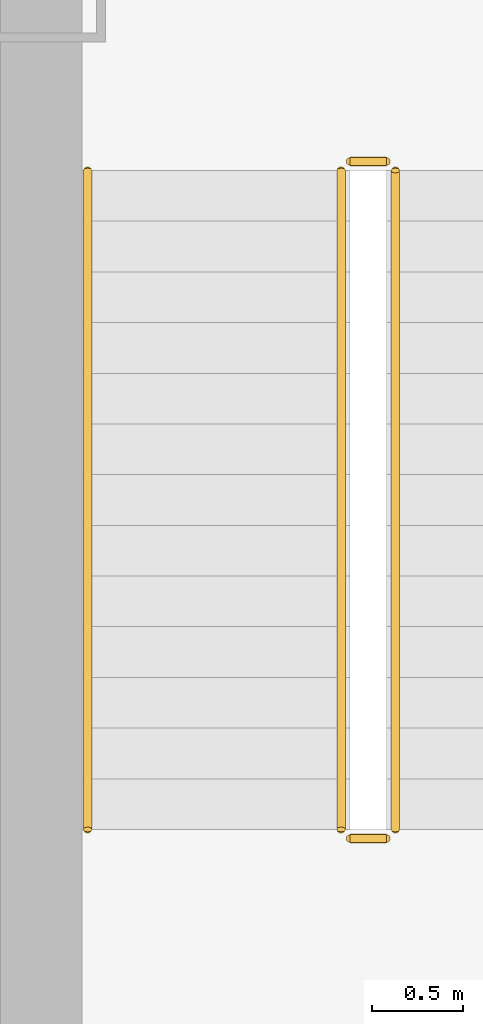
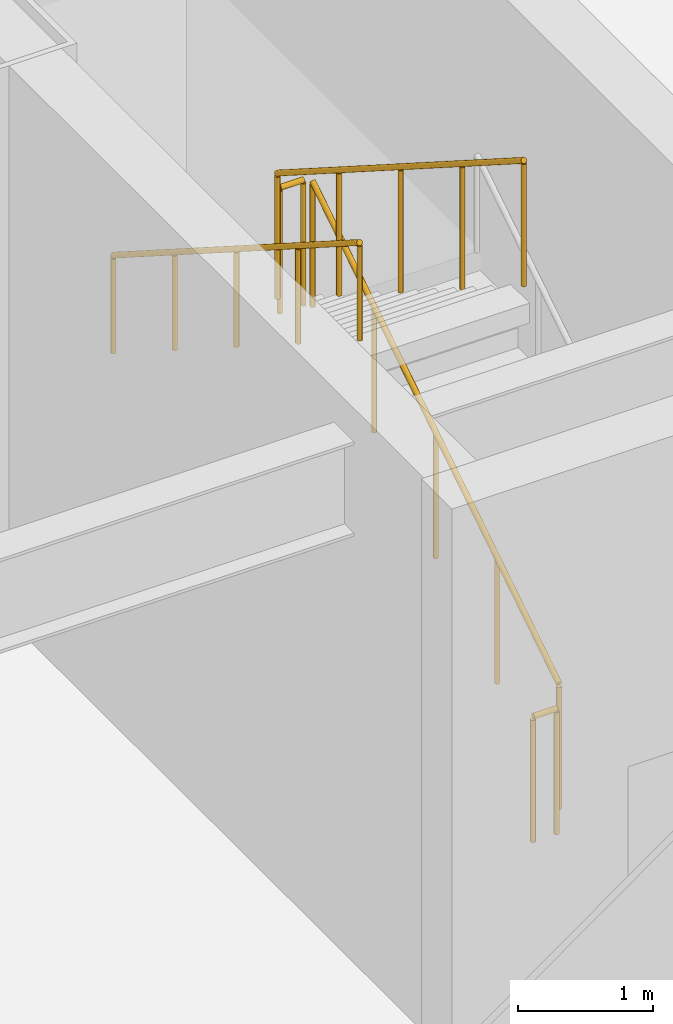
# One storey, part 33 of 39: 5 railings.
"""IFC4 building model written with IfcOpenShell, lengths in metres."""

from ifc_helpers import new_model, si_unit, derived_unit, direction, frame, origin, origin_2d, place, context, subcontext, project, spatial, circle, extrude, material, type_object, element, save


model = new_model("IFC4")

# Units and contexts
model_context = context("Model", 3, precision=1e-05, world=origin(), true_north=direction((0.0, 1.0)))
body_context = subcontext(model_context, "Body", "Model", "MODEL_VIEW")
ifc_project = project(units=[si_unit("LENGTHUNIT", "METRE"), si_unit("AREAUNIT", "SQUARE_METRE"), si_unit("VOLUMEUNIT", "CUBIC_METRE"), si_unit("PLANEANGLEUNIT", "RADIAN"), si_unit("MASSUNIT", "GRAM", prefix="KILO"), derived_unit("THERMALTRANSMITTANCEUNIT", [(si_unit("POWERUNIT", "WATT"), 1), (si_unit("LENGTHUNIT", "METRE"), -2), (si_unit("THERMODYNAMICTEMPERATUREUNIT", "KELVIN"), -1)])], contexts=[model_context])

# Site, building, storey
site_placement = place(None, origin())
site = spatial("IfcSite", under=ifc_project, at=site_placement, CompositionType="ELEMENT")
building_placement = place(site_placement, origin())
building = spatial("IfcBuilding", under=site, at=building_placement, Name="Skarnbrae Concourse Arena and Tower", CompositionType="ELEMENT")
storey_placement = place(building_placement, frame((0.0, 0.0, 16.0)))
storey = spatial("IfcBuildingStorey", under=building, at=storey_placement, Name="L03", CompositionType="ELEMENT", Elevation=16.0)

# Railings
ifc_material = material(Name="Steel CSA G40.21 350W", Category="steel")
railing_type_1 = type_object("IfcRailingType", Name="RAIL-HANDRAIL-900", PredefinedType="HANDRAIL", material=ifc_material)
railing_1_placement = place(storey_placement, frame((61.449951171875, 8.239990234375, 2.678466796875)))
element("IfcRailing", 1, at=railing_1_placement, inside=storey, type_object=railing_type_1, Name="L03 ST-A1 stair handrail 2", PredefinedType="HANDRAIL", context=body_context, shape_type="SweptSolid", body=[
    extrude(circle(Radius=0.02392578125, at=origin_2d()), frame((0.0, 0.0, 0.8759765625), z_axis=(0.0, -0.843111507901, 0.53773877045), x_axis=(1.0, 0.0, 0.0)), (0.0, 0.0, 1.0), 4.317138671875),
    extrude(circle(Radius=0.02099609375, at=origin_2d()), origin(), (0.0, 0.0, 1.0), 0.851806640625),
    extrude(circle(Radius=0.02099609375, at=origin_2d()), frame((0.0, -0.909912109375, 0.580322265625)), (0.0, 0.0, 1.0), 0.851806640625),
    extrude(circle(Radius=0.02099609375, at=origin_2d()), frame((0.0, -1.81982421875, 1.16064453125)), (0.0, 0.0, 1.0), 0.851806640625),
    extrude(circle(Radius=0.02099609375, at=origin_2d()), frame((0.0, -2.72998046875, 1.7412109375)), (0.0, 0.0, 1.0), 0.851806640625),
    extrude(circle(Radius=0.02099609375, at=origin_2d()), frame((0.0, -3.639892578125, 2.321533203125)), (0.0, 0.0, 1.0), 0.851806640625),
])
railing_type_2 = type_object("IfcRailingType", Name="RAIL-STAIR-GUARD-1150", PredefinedType="GUARDRAIL", material=ifc_material)
railing_2_placement = place(storey_placement, frame((63.14990234375, 4.60009765625, 0.178466796875)))
element("IfcRailing", 2, at=railing_2_placement, inside=storey, type_object=railing_type_2, Name="L03 ST-A1 stair guard 1", PredefinedType="GUARDRAIL", context=body_context, shape_type="SweptSolid", body=[
    extrude(circle(Radius=0.02392578125, at=origin_2d()), frame((0.0, 0.0, 1.1259765625), z_axis=(0.0, 0.843111507901, 0.53773877045), x_axis=(-1.0, 0.0, 0.0)), (0.0, 0.0, 1.0), 4.317138671875),
    extrude(circle(Radius=0.02099609375, at=origin_2d()), origin(), (0.0, 0.0, 1.0), 1.101806640625),
    extrude(circle(Radius=0.02099609375, at=origin_2d()), frame((0.0, 0.909912109375, 0.580322265625)), (0.0, 0.0, 1.0), 1.101806640625),
    extrude(circle(Radius=0.02099609375, at=origin_2d()), frame((0.0, 1.81982421875, 1.16064453125)), (0.0, 0.0, 1.0), 1.101806640625),
    extrude(circle(Radius=0.02099609375, at=origin_2d()), frame((0.0, 2.72998046875, 1.7412109375)), (0.0, 0.0, 1.0), 1.101806640625),
    extrude(circle(Radius=0.02099609375, at=origin_2d()), frame((0.0, 3.639892578125, 2.321533203125)), (0.0, 0.0, 1.0), 1.101806640625),
])
railing_3_placement = place(storey_placement, frame((63.10009765625, 8.2900390625, 2.5)))
element("IfcRailing", 3, at=railing_3_placement, inside=storey, type_object=railing_type_2, Name="L03 ST-A1 stair guard 2", PredefinedType="GUARDRAIL", context=body_context, shape_type="SweptSolid", body=[
    extrude(circle(Radius=0.02392578125, at=origin_2d()), frame((0.0, 0.0, 1.1259765625), z_axis=(-1.0, 0.0, 0.0), x_axis=(0.0, -1.0, 0.0)), (0.0, 0.0, 1.0), 0.2001953125),
    extrude(circle(Radius=0.02099609375, at=origin_2d()), origin(), (0.0, 0.0, 1.0), 1.101806640625),
    extrude(circle(Radius=0.02099609375, at=origin_2d()), frame((-0.2001953125, 0.0, 0.0)), (0.0, 0.0, 1.0), 1.101806640625),
])
railing_4_placement = place(storey_placement, frame((62.85009765625, 8.239990234375, 2.678466796875)))
element("IfcRailing", 4, at=railing_4_placement, inside=storey, type_object=railing_type_2, Name="L03 ST-A1 stair guard 3", PredefinedType="GUARDRAIL", context=body_context, shape_type="SweptSolid", body=[
    extrude(circle(Radius=0.02392578125, at=origin_2d()), frame((0.0, 0.0, 1.1259765625), z_axis=(0.0, -0.843111507901, 0.53773877045), x_axis=(1.0, 0.0, 0.0)), (0.0, 0.0, 1.0), 4.317138671875),
    extrude(circle(Radius=0.02099609375, at=origin_2d()), origin(), (0.0, 0.0, 1.0), 1.101806640625),
    extrude(circle(Radius=0.02099609375, at=origin_2d()), frame((0.0, -0.909912109375, 0.580322265625)), (0.0, 0.0, 1.0), 1.101806640625),
    extrude(circle(Radius=0.02099609375, at=origin_2d()), frame((0.0, -1.81982421875, 1.16064453125)), (0.0, 0.0, 1.0), 1.101806640625),
    extrude(circle(Radius=0.02099609375, at=origin_2d()), frame((0.0, -2.72998046875, 1.7412109375)), (0.0, 0.0, 1.0), 1.101806640625),
    extrude(circle(Radius=0.02099609375, at=origin_2d()), frame((0.0, -3.639892578125, 2.321533203125)), (0.0, 0.0, 1.0), 1.101806640625),
])
railing_5_placement = place(storey_placement, frame((63.10009765625, 4.550048828125, 0.0)))
element("IfcRailing", 5, at=railing_5_placement, inside=storey, type_object=railing_type_2, Name="L03 ST-A1 stair guard 4", PredefinedType="GUARDRAIL", context=body_context, shape_type="SweptSolid", body=[
    extrude(circle(Radius=0.02392578125, at=origin_2d()), frame((0.0, 0.0, 1.1259765625), z_axis=(-1.0, 0.0, 0.0), x_axis=(0.0, -1.0, 0.0)), (0.0, 0.0, 1.0), 0.2001953125),
    extrude(circle(Radius=0.02099609375, at=origin_2d()), origin(), (0.0, 0.0, 1.0), 1.101806640625),
    extrude(circle(Radius=0.02099609375, at=origin_2d()), frame((-0.2001953125, 0.0, 0.0)), (0.0, 0.0, 1.0), 1.101806640625),
])

save(model, "model.ifc")
